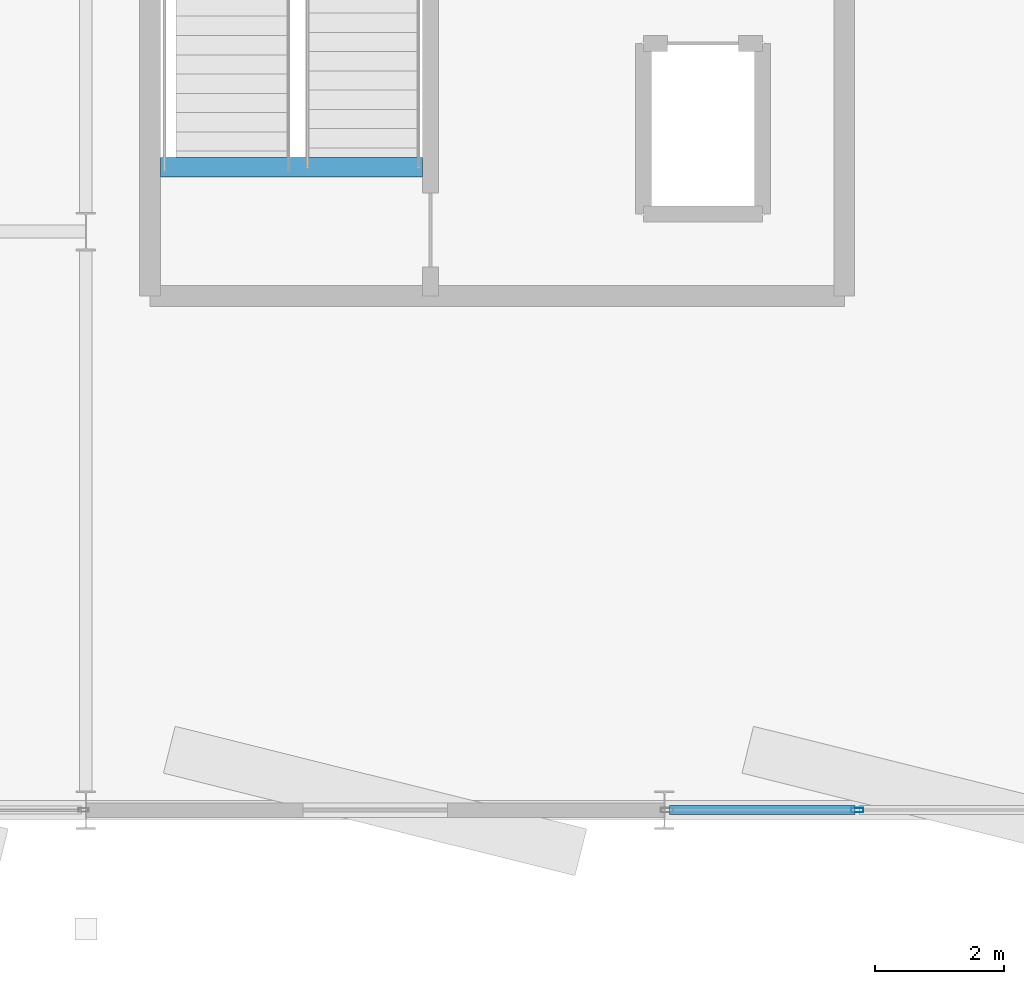
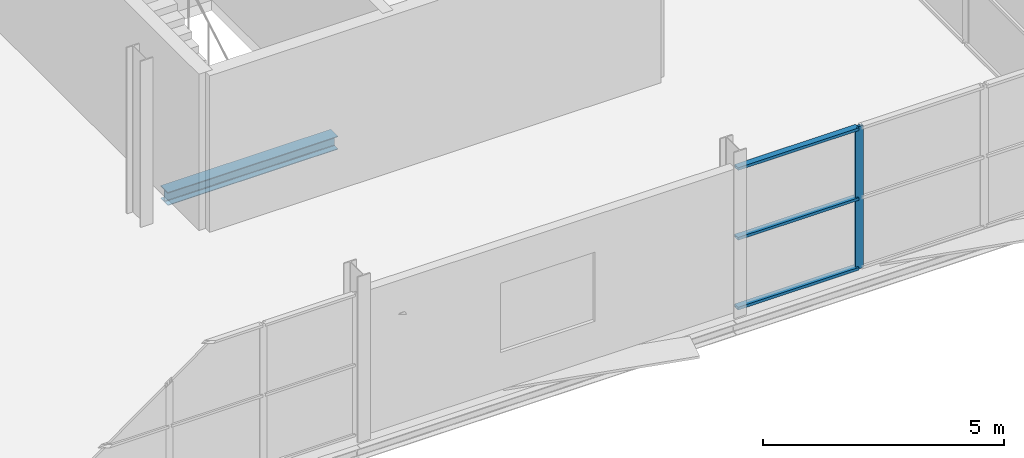
# One storey, part 47 of 88: 4 members, 1 beam, 1 element without a shape of its own.
"""IFC4 building model written with IfcOpenShell, lengths in metres."""

from ifc_helpers import new_model, si_unit, direction, frame, origin, origin_2d, place, context, subcontext, project, spatial, hollow_rectangle, i_section, extrude, material, layer, layer_set, material_profile, profile_set, type_object, element, aggregate, save


model = new_model("IFC4")

# Units and contexts
model_context = context("Model", 3, precision=1e-05, world=origin(), true_north=direction((0.0, 1.0)))
body_context = subcontext(model_context, "Body", "Model", "MODEL_VIEW")
ifc_project = project(units=[si_unit("LENGTHUNIT", "METRE"), si_unit("AREAUNIT", "SQUARE_METRE"), si_unit("VOLUMEUNIT", "CUBIC_METRE"), si_unit("PLANEANGLEUNIT", "RADIAN"), si_unit("MASSUNIT", "GRAM", prefix="KILO")], contexts=[model_context])

# Site, building, storey
site_placement = place(None, origin())
site = spatial("IfcSite", under=ifc_project, at=site_placement, CompositionType="ELEMENT")
building_placement = place(site_placement, origin())
building = spatial("IfcBuilding", under=site, at=building_placement, Name="Deido Ridge Mobility Hub", CompositionType="ELEMENT")
storey_placement = place(building_placement, frame((0.0, 0.0, 16.800048828125)))
storey = spatial("IfcBuildingStorey", under=building, at=storey_placement, Name="L04", CompositionType="ELEMENT", Elevation=16.800048828125)

# Beam
ifc_material_1 = material(Name="Steel S355J2 EN 10025-2", Category="steel")
ifc_material_profile_1 = material_profile(ifc_material_1, i_section(OverallWidth=0.300048828125, OverallDepth=0.330078125, WebThickness=0.009521484375, FlangeThickness=0.0166015625, FilletRadius=0.027099609375, at=origin_2d()), Name="HEA 340")
ifc_profile_set_1 = profile_set([ifc_material_profile_1], Name="Steel S355J2 EN 10025-2")
beam_type = type_object("IfcBeamType", Name="BM-HEA340", PredefinedType="BEAM", material=ifc_profile_set_1)
beam_placement = place(storey_placement, frame((163.16259765625, 10.0, -0.43994140625), z_axis=(1.0, 0.0, 0.0), x_axis=(0.0, 1.0, 0.0)))
element("IfcBeam", 1, at=beam_placement, inside=storey, type_object=beam_type, Name="C1 stair landing trimmer beam B6", PredefinedType="BEAM", context=body_context, shape_type="SweptSolid", body=[
    extrude(i_section(OverallWidth=0.300048828125, OverallDepth=0.330078125, WebThickness=0.009521484375, FlangeThickness=0.0166015625, FilletRadius=0.027099609375, at=origin_2d()), origin(), (0.0, 0.0, 1.0), 4.072509765625),
])

# Curtain wall, members
ifc_material_2 = material(Name="Anodised aluminium EN AW-6063 T6", Category="aluminium")
ifc_layer = layer(ifc_material_2, 0.22509765625, Name="Anodised aluminium EN AW-6063 T6")
ifc_layer_set = layer_set([ifc_layer], Name="Anodised aluminium EN AW-6063 T6")
curtain_wall_type = type_object("IfcCurtainWallType", Name="CW-UF-5", PredefinedType="USERDEFINED", material=ifc_layer_set)
curtain_wall_placement = place(storey_placement, origin())
curtain_wall = element("IfcCurtainWall", 2, at=curtain_wall_placement, inside=storey, type_object=curtain_wall_type, Name="Unitised curtain wall CW5", ObjectType="UNITISED FACADE", PredefinedType="USERDEFINED")
ifc_material_profile_2 = material_profile(ifc_material_2, hollow_rectangle(XDim=0.070068359375, YDim=0.18994140625, WallThickness=0.00390625, at=origin_2d()), Name="RHS 70x190x4")
ifc_profile_set_2 = profile_set([ifc_material_profile_2], Name="Anodised aluminium EN AW-6063 T6")
member_type_1 = type_object("IfcMemberType", Name="MEM-MUL-70X190", PredefinedType="MULLION", material=ifc_profile_set_2)
member_1_placement = place(storey_placement, frame((174.002685546875, 0.0, 0.0), z_axis=(0.0, 0.0, 1.0), x_axis=(0.0, 1.0, 0.0)))
member_1 = element("IfcMember", 3, at=member_1_placement, type_object=member_type_1, Name="CW5 mullion 2", PredefinedType="MULLION", context=body_context, shape_type="SweptSolid", body=[
    extrude(hollow_rectangle(XDim=0.070068359375, YDim=0.18994140625, WallThickness=0.00390625, at=origin_2d()), origin(), (0.0, 0.0, 1.0), 3.599853515625),
])
ifc_material_profile_3 = material_profile(ifc_material_2, hollow_rectangle(XDim=0.14501953125, YDim=0.070068359375, WallThickness=0.00390625, at=origin_2d()), Name="RHS 145x70x4")
ifc_profile_set_3 = profile_set([ifc_material_profile_3], Name="Anodised aluminium EN AW-6063 T6")
member_type_2 = type_object("IfcMemberType", Name="MEM-TRN-145X70", PredefinedType="USERDEFINED", material=ifc_profile_set_3)
member_2_placement = place(storey_placement, frame((171.07763671875, 0.0, 0.034912109375), z_axis=(1.0, 0.0, 0.0), x_axis=(0.0, 1.0, 0.0)))
member_2 = element("IfcMember", 4, at=member_2_placement, type_object=member_type_2, Name="CW5 transom 1.1", ObjectType="TRANSOM", PredefinedType="USERDEFINED", context=body_context, shape_type="SweptSolid", body=[
    extrude(hollow_rectangle(XDim=0.14501953125, YDim=0.070068359375, WallThickness=0.00390625, at=origin_2d()), origin(), (0.0, 0.0, 1.0), 2.889892578125),
])
member_3_placement = place(storey_placement, frame((171.07763671875, 0.0, 1.800048828125), z_axis=(1.0, 0.0, 0.0), x_axis=(0.0, 1.0, 0.0)))
member_3 = element("IfcMember", 5, at=member_3_placement, type_object=member_type_2, Name="CW5 transom 1.2", ObjectType="TRANSOM", PredefinedType="USERDEFINED", context=body_context, shape_type="SweptSolid", body=[
    extrude(hollow_rectangle(XDim=0.14501953125, YDim=0.070068359375, WallThickness=0.00390625, at=origin_2d()), origin(), (0.0, 0.0, 1.0), 2.889892578125),
])
member_4_placement = place(storey_placement, frame((171.07763671875, 0.0, 3.56494140625), z_axis=(1.0, 0.0, 0.0), x_axis=(0.0, 1.0, 0.0)))
member_4 = element("IfcMember", 6, at=member_4_placement, type_object=member_type_2, Name="CW5 transom 1.3", ObjectType="TRANSOM", PredefinedType="USERDEFINED", context=body_context, shape_type="SweptSolid", body=[
    extrude(hollow_rectangle(XDim=0.14501953125, YDim=0.070068359375, WallThickness=0.00390625, at=origin_2d()), origin(), (0.0, 0.0, 1.0), 2.889892578125),
])
aggregate(curtain_wall, [member_1, member_2, member_3, member_4])

save(model, "model.ifc")
